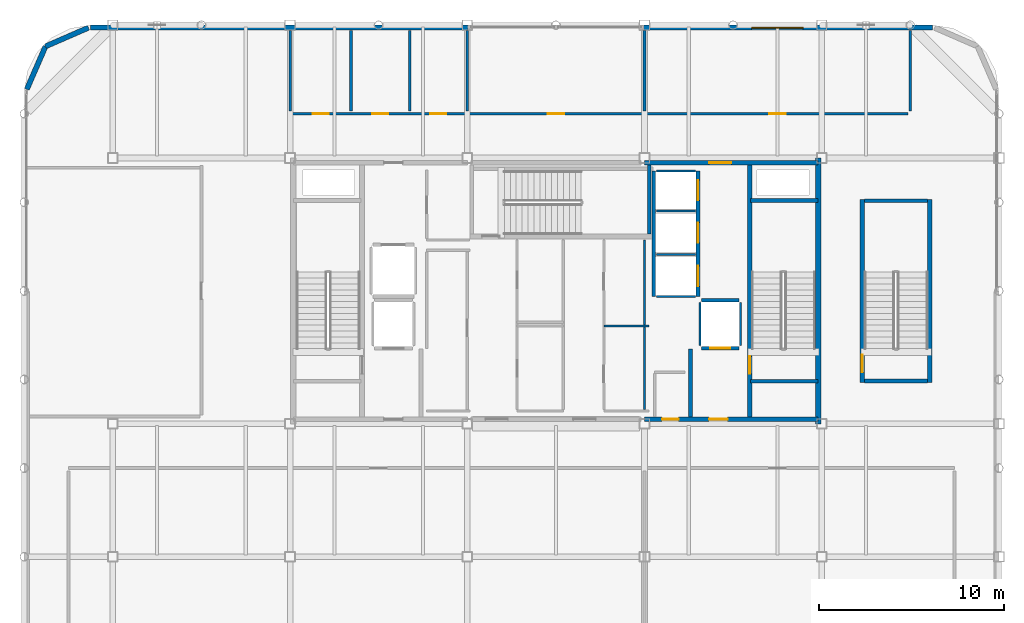
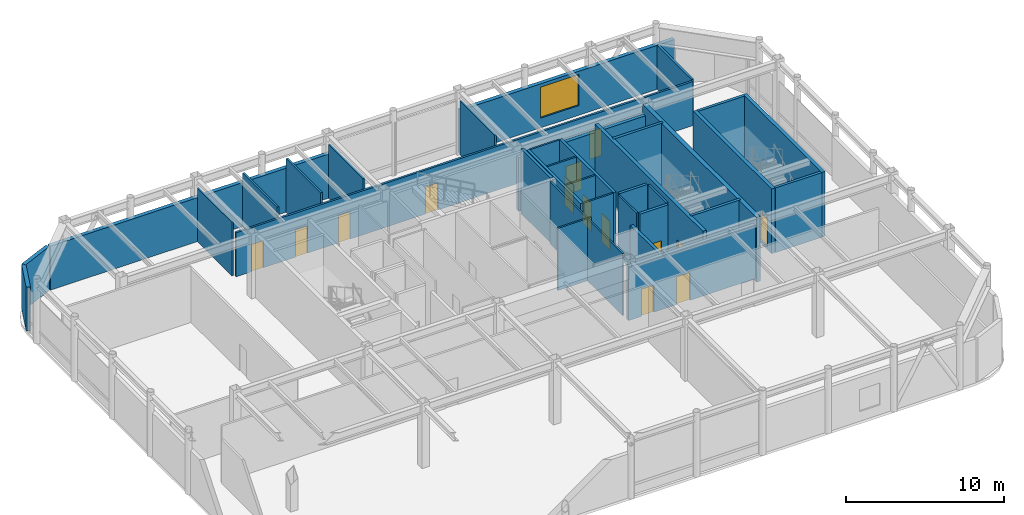
# One storey, part 18 of 21: 35 walls, 14 doors, 1 window, 15 openings.
"""IFC4 building model written with IfcOpenShell, lengths in metres."""

from ifc_helpers import new_model, si_unit, direction, frame, frame_2d, origin, place, context, subcontext, project, spatial, rectangle, extrude, material, layer, layer_set, type_object, element, fill, save


model = new_model("IFC4")

# Units and contexts
model_context = context("Model", 3, precision=1e-05, world=origin(), true_north=direction((0.0, 1.0)))
body_context = subcontext(model_context, "Body", "Model", "MODEL_VIEW")
ifc_project = project(units=[si_unit("LENGTHUNIT", "METRE"), si_unit("AREAUNIT", "SQUARE_METRE"), si_unit("VOLUMEUNIT", "CUBIC_METRE"), si_unit("PLANEANGLEUNIT", "RADIAN"), si_unit("MASSUNIT", "GRAM", prefix="KILO")], contexts=[model_context])

# Site, building, storey
site_placement = place(None, origin())
site = spatial("IfcSite", under=ifc_project, at=site_placement, CompositionType="ELEMENT")
building_placement = place(site_placement, origin())
building = spatial("IfcBuilding", under=site, at=building_placement, Name="Kallvorn Hotel Tower", CompositionType="ELEMENT")
storey_placement = place(building_placement, frame((0.0, 0.0, 295.60009765625)))
storey = spatial("IfcBuildingStorey", under=building, at=storey_placement, Name="L73", CompositionType="ELEMENT", Elevation=295.60009765625)

# Walls
ifc_material_1 = material(Name="Concrete C50/60", Category="concrete")
ifc_layer_1 = layer(ifc_material_1, 0.300048828125)
ifc_layer_set_1 = layer_set([ifc_layer_1], Name="WL_CORE_300")
wall_type_1 = type_object("IfcWallType", Name="WL_CORE_300", PredefinedType="SHEAR", material=ifc_layer_set_1)
wall_1_placement = place(storey_placement, frame((14.215087890625, -7.199951171875, -0.2001953125), z_axis=(0.0, 0.0, 1.0), x_axis=(0.0, 1.0, 0.0)))
element("IfcWall", 1, at=wall_1_placement, inside=storey, type_object=wall_type_1, Name="L73 Core East Shear Wall", PredefinedType="SHEAR", context=body_context, shape_type="SweptSolid", body=[
    extrude(rectangle(XDim=14.39990234375, YDim=0.300048828125, at=frame_2d((7.199951171875, 0.0))), origin(), (0.0, 0.0, 1.0), 5.0),
])
ifc_material_2 = material(Name="Precast basalt-clad insulated concrete wall C40/50", Category="masonry")
ifc_layer_2 = layer(ifc_material_2, 0.280029296875)
ifc_layer_set_2 = layer_set([ifc_layer_2], Name="WL_EXT_LOGGIA_280")
wall_type_2 = type_object("IfcWallType", Name="WL_EXT_LOGGIA_280", PredefinedType="SOLIDWALL", material=ifc_layer_set_2)
for number, where, z_axis, x_axis, name in (
    (2, (-25.32080078125, 14.2578125, 0.0), (0.0, 0.0, 1.0), (-0.917060872934, -0.398747232384, 0.0), "L73 Rounded Corner Exterior Wall NW1"),
    (3, (-27.646484375, 13.24658203125, 0.0), (0.0, 0.0, 1.0), (-0.398828190223, -0.917025667407, 0.0), "L73 Rounded Corner Exterior Wall NW2"),
):
    element("IfcWall", number, at=place(storey_placement, frame(where, z_axis=z_axis, x_axis=x_axis)), inside=storey, type_object=wall_type_2, Name=name, PredefinedType="SOLIDWALL", context=body_context, shape_type="SweptSolid", body=[
        extrude(rectangle(XDim=2.5361328125, YDim=0.280029296875, at=frame_2d((1.26806640625, 0.0))), origin(), (0.0, 0.0, 1.0), 3.39990234375),
    ])
wall_2_placement = place(storey_placement, frame((-25.199951171875, 14.260009765625, 0.0), z_axis=(0.0, 0.0, 1.0), x_axis=(1.0, 0.0, 0.0)))
element("IfcWall", 4, at=wall_2_placement, inside=storey, type_object=wall_type_2, Name="L73 Exterior Envelope Wall EW-L73-NW", PredefinedType="SOLIDWALL", context=body_context, shape_type="SweptSolid", body=[
    extrude(rectangle(XDim=20.449951171875, YDim=0.280029296875, at=frame_2d((10.22509765625, 0.0))), origin(), (0.0, 0.0, 1.0), 3.39990234375),
])

# Wall, opening, window
wall_3_placement = place(storey_placement, frame((4.75, 14.260009765625, 0.0), z_axis=(0.0, 0.0, 1.0), x_axis=(1.0, 0.0, 0.0)))
wall_3 = element("IfcWall", 5, at=wall_3_placement, inside=storey, type_object=wall_type_2, Name="L73 Exterior Envelope Wall EW-L73-NE", PredefinedType="SOLIDWALL", context=body_context, shape_type="SweptSolid", body=[
    extrude(rectangle(XDim=15.64990234375, YDim=0.280029296875, at=frame_2d((7.824951171875, 0.0))), origin(), (0.0, 0.0, 1.0), 3.39990234375),
])
opening_1_placement = place(wall_3_placement, frame((5.85009765625, 0.0, 0.75)))
opening_1 = element("IfcOpeningElement", 6, at=opening_1_placement, cuts=wall_3, Name="Opening W08", PredefinedType="OPENING", context=body_context, shape_type="SweptSolid", body=[
    extrude(rectangle(XDim=2.800048828125, YDim=2.39990234375, at=frame_2d((1.39990234375, 1.199951171875))), frame((0.0, 0.155029296875, 0.0), z_axis=(0.0, -1.0, 0.0), x_axis=(1.0, 0.0, 0.0)), (0.0, 0.0, 1.0), 0.31005859375),
])
ifc_material_3 = material(Name="Triple-glazed low-e acoustic solar-control dark glass", Category="glass")
window_type = type_object("IfcWindowType", Name="WN_SUM_2800x2400", PartitioningType="SINGLE_PANEL", PredefinedType="WINDOW", material=ifc_material_3)
window_placement = place(opening_1_placement, origin())
window = element("IfcWindow", 7, at=window_placement, inside=storey, type_object=window_type, Name="L73 Guestroom Exterior Window 02", OverallHeight=2.39990234375, OverallWidth=2.800048828125, PartitioningType="SINGLE_PANEL", PredefinedType="WINDOW", context=body_context, shape_type="SweptSolid", body=[
    extrude(rectangle(XDim=2.800048828125, YDim=2.39990234375, at=frame_2d((1.39990234375, 1.199951171875))), frame((0.0, 0.030029296875, 0.0), z_axis=(0.0, -1.0, 0.0), x_axis=(1.0, 0.0, 0.0)), (0.0, 0.0, 1.0), 0.06005859375),
])
fill(opening_1, window)

# Walls
ifc_material_4 = material(Name="Concrete C40/50", Category="concrete")
ifc_layer_3 = layer(ifc_material_4, 0.219970703125)
ifc_layer_set_3 = layer_set([ifc_layer_3], Name="WL_FFL_220")
wall_type_3 = type_object("IfcWallType", Name="WL_FFL_220", PredefinedType="SOLIDWALL", material=ifc_layer_set_3)
wall_4_placement = place(storey_placement, frame((7.300048828125, -6.820068359375, 0.0), z_axis=(0.0, 0.0, 1.0), x_axis=(0.0, 1.0, 0.0)))
element("IfcWall", 8, at=wall_4_placement, inside=storey, type_object=wall_type_3, Name="L73 Firefighting Lobby East Divider Wall", PredefinedType="SOLIDWALL", context=body_context, shape_type="SweptSolid", body=[
    extrude(rectangle(XDim=3.670166015625, YDim=0.219970703125, at=frame_2d((1.8349609375, 0.0))), origin(), (0.0, 0.0, 1.0), 4.14990234375),
])
ifc_material_5 = material(Name="Concrete C40/50", Category="concrete")
ifc_layer_4 = layer(ifc_material_5, 0.199951171875)
ifc_layer_set_4 = layer_set([ifc_layer_4], Name="WL_HOIST_200")
wall_type_4 = type_object("IfcWallType", Name="WL_HOIST_200", PredefinedType="SOLIDWALL", material=ifc_layer_set_4)
for number, where, z_axis, x_axis, name in (
    (9, (10.550048828125, -4.89990234375, -0.2001953125), (0.0, 0.0, 1.0), (1.0, 0.0, 0.0), "L73 Stair ST2 South Wall"),
    (10, (10.550048828125, 4.89990234375, -0.2001953125), (0.0, 0.0, 1.0), (1.0, 0.0, 0.0), "L73 Stair ST2 North Wall"),
):
    element("IfcWall", number, at=place(storey_placement, frame(where, z_axis=z_axis, x_axis=x_axis)), inside=storey, type_object=wall_type_4, Name=name, PredefinedType="SOLIDWALL", context=body_context, shape_type="SweptSolid", body=[
        extrude(rectangle(XDim=3.64990234375, YDim=0.199951171875, at=frame_2d((1.824951171875, 0.0))), origin(), (0.0, 0.0, 1.0), 5.0),
    ])
wall_5_placement = place(storey_placement, frame((5.06005859375, 3.080078125, -0.2001953125), z_axis=(0.0, 0.0, 1.0), x_axis=(0.0, 1.0, 0.0)))
element("IfcWall", 11, at=wall_5_placement, inside=storey, type_object=wall_type_4, Name="L73 Stair ST3 East Wall", PredefinedType="SOLIDWALL", context=body_context, shape_type="SweptSolid", body=[
    extrude(rectangle(XDim=3.739990234375, YDim=0.199951171875, at=frame_2d((1.8701171875, 0.0))), origin(), (0.0, 0.0, 1.0), 5.0),
])
for number, where, z_axis, x_axis, name in (
    (12, (16.72998046875, -4.8798828125, -0.2001953125), (0.0, 0.0, 1.0), (1.0, 0.0, 0.0), "L73 Summit Exit Stair ST4 South Wall"),
    (13, (16.72998046875, 4.8798828125, -0.2001953125), (0.0, 0.0, 1.0), (1.0, 0.0, 0.0), "L73 Summit Exit Stair ST4 North Wall"),
):
    element("IfcWall", number, at=place(storey_placement, frame(where, z_axis=z_axis, x_axis=x_axis)), inside=storey, type_object=wall_type_4, Name=name, PredefinedType="SOLIDWALL", context=body_context, shape_type="SweptSolid", body=[
        extrude(rectangle(XDim=3.39990234375, YDim=0.199951171875, at=frame_2d((1.699951171875, 0.0))), origin(), (0.0, 0.0, 1.0), 5.0),
    ])

# Wall, openings, doors
wall_6_placement = place(storey_placement, frame((7.699951171875, -0.300048828125, 0.0), z_axis=(0.0, 0.0, 1.0), x_axis=(0.0, 1.0, 0.0)))
wall_6 = element("IfcWall", 14, at=wall_6_placement, inside=storey, type_object=wall_type_4, Name="L73 Lift Bank OBS Landing Wall", PredefinedType="SOLIDWALL", context=body_context, shape_type="SweptSolid", body=[
    extrude(rectangle(XDim=6.800048828125, YDim=0.199951171875, at=frame_2d((3.39990234375, 0.0))), origin(), (0.0, 0.0, 1.0), 4.7998046875),
])
opening_2_placement = place(wall_6_placement, frame((0.550048828125, 0.0, 0.0)))
opening_2 = element("IfcOpeningElement", 15, at=opening_2_placement, cuts=wall_6, Name="Opening LD-OB-01", PredefinedType="OPENING", context=body_context, shape_type="SweptSolid", body=[
    extrude(rectangle(XDim=1.10009765625, YDim=2.199951171875, at=frame_2d((0.550048828125, 1.10009765625))), frame((0.0, 0.114990234375, 0.0), z_axis=(0.0, -1.0, 0.0), x_axis=(1.0, 0.0, 0.0)), (0.0, 0.0, 1.0), 0.22998046875),
])
opening_3_placement = place(wall_6_placement, frame((2.89990234375, 0.0, 0.0)))
opening_3 = element("IfcOpeningElement", 16, at=opening_3_placement, cuts=wall_6, Name="Opening LD-OB-02", PredefinedType="OPENING", context=body_context, shape_type="SweptSolid", body=[
    extrude(rectangle(XDim=1.10009765625, YDim=2.199951171875, at=frame_2d((0.550048828125, 1.10009765625))), frame((0.0, 0.114990234375, 0.0), z_axis=(0.0, -1.0, 0.0), x_axis=(1.0, 0.0, 0.0)), (0.0, 0.0, 1.0), 0.22998046875),
])
opening_4_placement = place(wall_6_placement, frame((5.199951171875, 0.0, 0.0)))
opening_4 = element("IfcOpeningElement", 17, at=opening_4_placement, cuts=wall_6, Name="Opening LD-OB-03", PredefinedType="OPENING", context=body_context, shape_type="SweptSolid", body=[
    extrude(rectangle(XDim=1.10009765625, YDim=2.199951171875, at=frame_2d((0.550048828125, 1.10009765625))), frame((0.0, 0.114990234375, 0.0), z_axis=(0.0, -1.0, 0.0), x_axis=(1.0, 0.0, 0.0)), (0.0, 0.0, 1.0), 0.22998046875),
])
ifc_material_6 = material(Name="Brushed stainless-steel automatic sliding lift landing door", Category="steel")
door_type_1 = type_object("IfcDoorType", Name="LD_PASS_1100x2200", OperationType="SLIDING_TO_LEFT", PredefinedType="DOOR", material=ifc_material_6)
door_1_placement = place(opening_2_placement, origin())
door_1 = element("IfcDoor", 18, at=door_1_placement, inside=storey, type_object=door_type_1, Name="L73 Lift Landing Sliding Door LD-OB-01", OperationType="SLIDING_TO_LEFT", OverallHeight=2.199951171875, OverallWidth=1.10009765625, PredefinedType="DOOR", context=body_context, shape_type="SweptSolid", body=[
    extrude(rectangle(XDim=1.10009765625, YDim=2.199951171875, at=frame_2d((0.550048828125, 1.10009765625))), frame((0.0, 0.02490234375, 0.0), z_axis=(0.0, -1.0, 0.0), x_axis=(1.0, 0.0, 0.0)), (0.0, 0.0, 1.0), 0.050048828125),
])
fill(opening_2, door_1)
door_2_placement = place(opening_3_placement, origin())
door_2 = element("IfcDoor", 19, at=door_2_placement, inside=storey, type_object=door_type_1, Name="L73 Lift Landing Sliding Door LD-OB-02", OperationType="SLIDING_TO_LEFT", OverallHeight=2.199951171875, OverallWidth=1.10009765625, PredefinedType="DOOR", context=body_context, shape_type="SweptSolid", body=[
    extrude(rectangle(XDim=1.10009765625, YDim=2.199951171875, at=frame_2d((0.550048828125, 1.10009765625))), frame((0.0, 0.02490234375, 0.0), z_axis=(0.0, -1.0, 0.0), x_axis=(1.0, 0.0, 0.0)), (0.0, 0.0, 1.0), 0.050048828125),
])
fill(opening_3, door_2)
door_3_placement = place(opening_4_placement, origin())
door_3 = element("IfcDoor", 20, at=door_3_placement, inside=storey, type_object=door_type_1, Name="L73 Lift Landing Sliding Door LD-OB-03", OperationType="SLIDING_TO_LEFT", OverallHeight=2.199951171875, OverallWidth=1.10009765625, PredefinedType="DOOR", context=body_context, shape_type="SweptSolid", body=[
    extrude(rectangle(XDim=1.10009765625, YDim=2.199951171875, at=frame_2d((0.550048828125, 1.10009765625))), frame((0.0, 0.02490234375, 0.0), z_axis=(0.0, -1.0, 0.0), x_axis=(1.0, 0.0, 0.0)), (0.0, 0.0, 1.0), 0.050048828125),
])
fill(opening_4, door_3)

# Wall
wall_7_placement = place(storey_placement, frame((5.300048828125, -0.300048828125, 0.0), z_axis=(0.0, 0.0, 1.0), x_axis=(0.0, 1.0, 0.0)))
element("IfcWall", 21, at=wall_7_placement, inside=storey, type_object=wall_type_4, Name="L73 Lift Bank OBS Rear Shaft Wall", PredefinedType="SOLIDWALL", context=body_context, shape_type="SweptSolid", body=[
    extrude(rectangle(XDim=6.800048828125, YDim=0.199951171875, at=frame_2d((3.39990234375, 0.0))), origin(), (0.0, 0.0, 1.0), 4.7998046875),
])

# Wall, opening, door
wall_8_placement = place(storey_placement, frame((7.8798828125, -3.10009765625, 0.0), z_axis=(0.0, 0.0, 1.0), x_axis=(1.0, 0.0, 0.0)))
wall_8 = element("IfcWall", 22, at=wall_8_placement, inside=storey, type_object=wall_type_4, Name="L73 FL-2 Landing Wall", PredefinedType="SOLIDWALL", context=body_context, shape_type="SweptSolid", body=[
    extrude(rectangle(XDim=2.0400390625, YDim=0.199951171875, at=frame_2d((1.02001953125, 0.0))), origin(), (0.0, 0.0, 1.0), 4.7998046875),
])
opening_5_placement = place(wall_8_placement, frame((0.469970703125, 0.0, 0.0)))
opening_5 = element("IfcOpeningElement", 23, at=opening_5_placement, cuts=wall_8, Name="Opening LD-FL-2", PredefinedType="OPENING", context=body_context, shape_type="SweptSolid", body=[
    extrude(rectangle(XDim=1.10009765625, YDim=2.199951171875, at=frame_2d((0.550048828125, 1.10009765625))), frame((0.0, 0.114990234375, 0.0), z_axis=(0.0, -1.0, 0.0), x_axis=(1.0, 0.0, 0.0)), (0.0, 0.0, 1.0), 0.22998046875),
])
door_4_placement = place(opening_5_placement, origin())
door_4 = element("IfcDoor", 24, at=door_4_placement, inside=storey, type_object=door_type_1, Name="L73 Lift Landing Sliding Door LD-FL-2", OperationType="SLIDING_TO_LEFT", OverallHeight=2.199951171875, OverallWidth=1.10009765625, PredefinedType="DOOR", context=body_context, shape_type="SweptSolid", body=[
    extrude(rectangle(XDim=1.10009765625, YDim=2.199951171875, at=frame_2d((0.550048828125, 1.10009765625))), frame((0.0, 0.02490234375, 0.0), z_axis=(0.0, -1.0, 0.0), x_axis=(1.0, 0.0, 0.0)), (0.0, 0.0, 1.0), 0.050048828125),
])
fill(opening_5, door_4)

# Walls
wall_9_placement = place(storey_placement, frame((7.8798828125, -0.5, 0.0), z_axis=(0.0, 0.0, 1.0), x_axis=(1.0, 0.0, 0.0)))
element("IfcWall", 25, at=wall_9_placement, inside=storey, type_object=wall_type_4, Name="L73 FL-2 Rear Shaft Wall", PredefinedType="SOLIDWALL", context=body_context, shape_type="SweptSolid", body=[
    extrude(rectangle(XDim=2.0400390625, YDim=0.199951171875, at=frame_2d((1.02001953125, 0.0))), origin(), (0.0, 0.0, 1.0), 4.7998046875),
])
ifc_material_7 = material(Name="Fire-rated double-layer acoustic gypsum drywall EI 60")
ifc_layer_5 = layer(ifc_material_7, 0.1201171875)
ifc_layer_set_5 = layer_set([ifc_layer_5], Name="WL_INT_120")
wall_type_5 = type_object("IfcWallType", Name="WL_INT_120", PredefinedType="PARTITIONING", material=ifc_layer_set_5)
for number, where, z_axis, x_axis, name in (
    (26, (5.43994140625, -0.300048828125, 0.0), (0.0, 0.0, 1.0), (1.0, 0.0, 0.0), "L73 Lift Bank OBS South Closure Wall"),
    (27, (5.43994140625, 1.97509765625, 0.0), (0.0, 0.0, 1.0), (1.0, 0.0, 0.0), "L73 OB-01 Hoistway Divider"),
    (28, (5.43994140625, 4.324951171875, 0.0), (0.0, 0.0, 1.0), (1.0, 0.0, 0.0), "L73 OB-02 Hoistway Divider"),
    (29, (5.43994140625, 6.5, 0.0), (0.0, 0.0, 1.0), (1.0, 0.0, 0.0), "L73 OB-03 Hoistway Divider"),
):
    element("IfcWall", number, at=place(storey_placement, frame(where, z_axis=z_axis, x_axis=x_axis)), inside=storey, type_object=wall_type_5, Name=name, PredefinedType="PARTITIONING", context=body_context, shape_type="SweptSolid", body=[
        extrude(rectangle(XDim=2.1201171875, YDim=0.1201171875, at=frame_2d((1.06005859375, 0.0))), origin(), (0.0, 0.0, 1.0), 4.7998046875),
    ])
for number, where, z_axis, x_axis, name in (
    (30, (7.800048828125, -2.9599609375, 0.0), (0.0, 0.0, 1.0), (0.0, 1.0, 0.0), "L73 FL-2 West Shaft Wall"),
    (31, (10.0, -2.9599609375, 0.0), (0.0, 0.0, 1.0), (0.0, 1.0, 0.0), "L73 FL-2 East Shaft Wall"),
):
    element("IfcWall", number, at=place(storey_placement, frame(where, z_axis=z_axis, x_axis=x_axis)), inside=storey, type_object=wall_type_5, Name=name, PredefinedType="PARTITIONING", context=body_context, shape_type="SweptSolid", body=[
        extrude(rectangle(XDim=2.320068359375, YDim=0.1201171875, at=frame_2d((1.16015625, 0.0))), origin(), (0.0, 0.0, 1.0), 4.7998046875),
    ])
wall_10_placement = place(storey_placement, frame((2.60009765625, -1.89990234375, 0.0), z_axis=(0.0, 0.0, 1.0), x_axis=(1.0, 0.0, 0.0)))
element("IfcWall", 32, at=wall_10_placement, inside=storey, type_object=wall_type_5, Name="L73 East Core Amenities and Minibar Store Partition", PredefinedType="PARTITIONING", context=body_context, shape_type="SweptSolid", body=[
    extrude(rectangle(XDim=2.449951171875, YDim=0.1201171875, at=frame_2d((1.22509765625, 0.0))), origin(), (0.0, 0.0, 1.0), 4.7998046875),
])
wall_11_placement = place(storey_placement, frame((4.800048828125, -6.4150390625, 0.0), z_axis=(0.0, 0.0, 1.0), x_axis=(0.0, 1.0, 0.0)))
element("IfcWall", 33, at=wall_11_placement, inside=storey, type_object=wall_type_5, Name="L73 East Core Amenities and Minibar Store Partition", PredefinedType="PARTITIONING", context=body_context, shape_type="SweptSolid", body=[
    extrude(rectangle(XDim=9.1650390625, YDim=0.1201171875, at=frame_2d((4.58251953125, 0.0))), origin(), (0.0, 0.0, 1.0), 4.7998046875),
])

# Wall, openings, doors
ifc_material_8 = material(Name="Fire-rated double-layer acoustic gypsum drywall EI 60")
ifc_layer_6 = layer(ifc_material_8, 0.14990234375)
ifc_layer_set_6 = layer_set([ifc_layer_6], Name="WL_PART_150")
wall_type_6 = type_object("IfcWallType", Name="WL_PART_150", PredefinedType="PARTITIONING", material=ifc_layer_set_6)
wall_12_placement = place(storey_placement, frame((-14.280029296875, 9.60009765625, 0.0), z_axis=(0.0, 0.0, 1.0), x_axis=(1.0, 0.0, 0.0)))
wall_12 = element("IfcWall", 34, at=wall_12_placement, inside=storey, type_object=wall_type_6, Name="L73 Restaurant Mixology Kitchen Partition", PredefinedType="PARTITIONING", context=body_context, shape_type="SweptSolid", body=[
    extrude(rectangle(XDim=33.360107421875, YDim=0.14990234375, at=frame_2d((16.68017578125, 0.0))), origin(), (0.0, 0.0, 1.0), 3.39990234375),
])
opening_6_placement = place(wall_12_placement, frame((1.12109375, 0.0, 0.0)))
opening_6 = element("IfcOpeningElement", 35, at=opening_6_placement, cuts=wall_12, Name="Opening BD-I", PredefinedType="OPENING", context=body_context, shape_type="SweptSolid", body=[
    extrude(rectangle(XDim=0.860107421875, YDim=2.10009765625, at=frame_2d((0.43017578125, 1.050048828125))), frame((0.0, 0.08984375, 0.0), z_axis=(0.0, -1.0, 0.0), x_axis=(1.0, 0.0, 0.0)), (0.0, 0.0, 1.0), 0.179931640625),
])
opening_7_placement = place(wall_12_placement, frame((4.343017578125, 0.0, 0.0)))
opening_7 = element("IfcOpeningElement", 36, at=opening_7_placement, cuts=wall_12, Name="Opening BD-I", PredefinedType="OPENING", context=body_context, shape_type="SweptSolid", body=[
    extrude(rectangle(XDim=0.860107421875, YDim=2.10009765625, at=frame_2d((0.43017578125, 1.050048828125))), frame((0.0, 0.08984375, 0.0), z_axis=(0.0, -1.0, 0.0), x_axis=(1.0, 0.0, 0.0)), (0.0, 0.0, 1.0), 0.179931640625),
])
opening_8_placement = place(wall_12_placement, frame((7.472900390625, 0.0, 0.0)))
opening_8 = element("IfcOpeningElement", 37, at=opening_8_placement, cuts=wall_12, Name="Opening BD-I", PredefinedType="OPENING", context=body_context, shape_type="SweptSolid", body=[
    extrude(rectangle(XDim=0.860107421875, YDim=2.10009765625, at=frame_2d((0.43017578125, 1.050048828125))), frame((0.0, 0.08984375, 0.0), z_axis=(0.0, -1.0, 0.0), x_axis=(1.0, 0.0, 0.0)), (0.0, 0.0, 1.0), 0.179931640625),
])
opening_9_placement = place(wall_12_placement, frame((13.830078125, 0.0, 0.0)))
opening_9 = element("IfcOpeningElement", 38, at=opening_9_placement, cuts=wall_12, Name="Opening SVD1", PredefinedType="OPENING", context=body_context, shape_type="SweptSolid", body=[
    extrude(rectangle(XDim=0.89990234375, YDim=2.10009765625, at=frame_2d((0.449951171875, 1.050048828125))), frame((0.0, 0.08984375, 0.0), z_axis=(0.0, -1.0, 0.0), x_axis=(1.0, 0.0, 0.0)), (0.0, 0.0, 1.0), 0.179931640625),
])
opening_10_placement = place(wall_12_placement, frame((25.830078125, 0.0, 0.0)))
opening_10 = element("IfcOpeningElement", 39, at=opening_10_placement, cuts=wall_12, Name="Opening SVD1", PredefinedType="OPENING", context=body_context, shape_type="SweptSolid", body=[
    extrude(rectangle(XDim=0.89990234375, YDim=2.10009765625, at=frame_2d((0.449951171875, 1.050048828125))), frame((0.0, 0.08984375, 0.0), z_axis=(0.0, -1.0, 0.0), x_axis=(1.0, 0.0, 0.0)), (0.0, 0.0, 1.0), 0.179931640625),
])
ifc_material_9 = material(Name="Solid-core walnut veneer fire-rated timber door leaf", Category="wood")
door_type_2 = type_object("IfcDoorType", Name="DR_BATH_860x2100", OperationType="NOTDEFINED", PredefinedType="DOOR", material=ifc_material_9)
door_5_placement = place(opening_6_placement, origin())
door_5 = element("IfcDoor", 40, at=door_5_placement, inside=storey, type_object=door_type_2, Name="L73 Public Male Restroom WC Door", OperationType="SINGLE_SWING_RIGHT", OverallHeight=2.10009765625, OverallWidth=0.860107421875, PredefinedType="DOOR", context=body_context, shape_type="SweptSolid", body=[
    extrude(rectangle(XDim=0.860107421875, YDim=2.10009765625, at=frame_2d((0.43017578125, 1.050048828125))), frame((0.0, 0.02490234375, 0.0), z_axis=(0.0, -1.0, 0.0), x_axis=(1.0, 0.0, 0.0)), (0.0, 0.0, 1.0), 0.050048828125),
])
fill(opening_6, door_5)
door_6_placement = place(opening_7_placement, origin())
door_6 = element("IfcDoor", 41, at=door_6_placement, inside=storey, type_object=door_type_2, Name="L73 Public Female Restroom WC Door", OperationType="SINGLE_SWING_RIGHT", OverallHeight=2.10009765625, OverallWidth=0.860107421875, PredefinedType="DOOR", context=body_context, shape_type="SweptSolid", body=[
    extrude(rectangle(XDim=0.860107421875, YDim=2.10009765625, at=frame_2d((0.43017578125, 1.050048828125))), frame((0.0, 0.02490234375, 0.0), z_axis=(0.0, -1.0, 0.0), x_axis=(1.0, 0.0, 0.0)), (0.0, 0.0, 1.0), 0.050048828125),
])
fill(opening_7, door_6)
door_7_placement = place(opening_8_placement, origin())
door_7 = element("IfcDoor", 42, at=door_7_placement, inside=storey, type_object=door_type_2, Name="L73 Accessible Restroom WC Door", OperationType="SINGLE_SWING_RIGHT", OverallHeight=2.10009765625, OverallWidth=0.860107421875, PredefinedType="DOOR", context=body_context, shape_type="SweptSolid", body=[
    extrude(rectangle(XDim=0.860107421875, YDim=2.10009765625, at=frame_2d((0.43017578125, 1.050048828125))), frame((0.0, 0.02490234375, 0.0), z_axis=(0.0, -1.0, 0.0), x_axis=(1.0, 0.0, 0.0)), (0.0, 0.0, 1.0), 0.050048828125),
])
fill(opening_8, door_7)
ifc_material_10 = material(Name="Galvanised painted steel fire-rated door assembly", Category="steel")
door_type_3 = type_object("IfcDoorType", Name="DR_SERV_900x2100", OperationType="NOTDEFINED", PredefinedType="DOOR", material=ifc_material_10)
door_8_placement = place(opening_9_placement, origin())
door_8 = element("IfcDoor", 43, at=door_8_placement, inside=storey, type_object=door_type_3, Name="L73 Restaurant Mixology Kitchen Door", OperationType="SINGLE_SWING_LEFT", OverallHeight=2.10009765625, OverallWidth=0.89990234375, PredefinedType="DOOR", context=body_context, shape_type="SweptSolid", body=[
    extrude(rectangle(XDim=0.89990234375, YDim=2.10009765625, at=frame_2d((0.449951171875, 1.050048828125))), frame((0.0, 0.02490234375, 0.0), z_axis=(0.0, -1.0, 0.0), x_axis=(1.0, 0.0, 0.0)), (0.0, 0.0, 1.0), 0.050048828125),
])
fill(opening_9, door_8)
door_9_placement = place(opening_10_placement, origin())
door_9 = element("IfcDoor", 44, at=door_9_placement, inside=storey, type_object=door_type_3, Name="L73 Curated Spirits and Cigar Retail Shop Door", OperationType="SINGLE_SWING_LEFT", OverallHeight=2.10009765625, OverallWidth=0.89990234375, PredefinedType="DOOR", context=body_context, shape_type="SweptSolid", body=[
    extrude(rectangle(XDim=0.89990234375, YDim=2.10009765625, at=frame_2d((0.449951171875, 1.050048828125))), frame((0.0, 0.02490234375, 0.0), z_axis=(0.0, -1.0, 0.0), x_axis=(1.0, 0.0, 0.0)), (0.0, 0.0, 1.0), 0.050048828125),
])
fill(opening_10, door_9)

# Walls
for number, where, z_axis, x_axis, name in (
    (45, (-4.800048828125, 9.75, 0.0), (0.0, 0.0, 1.0), (0.0, 1.0, 0.0), "L73 Restaurant Mixology Kitchen Partition"),
    (46, (4.800048828125, 9.75, 0.0), (0.0, 0.0, 1.0), (0.0, 1.0, 0.0), "L73 Curated Spirits and Cigar Retail Shop Partition"),
):
    element("IfcWall", number, at=place(storey_placement, frame(where, z_axis=z_axis, x_axis=x_axis)), inside=storey, type_object=wall_type_6, Name=name, PredefinedType="PARTITIONING", context=body_context, shape_type="SweptSolid", body=[
        extrude(rectangle(XDim=4.360107421875, YDim=0.14990234375, at=frame_2d((2.18017578125, 0.0))), origin(), (0.0, 0.0, 1.0), 4.14990234375),
    ])
wall_13_placement = place(storey_placement, frame((19.199951171875, 9.75, 0.0), z_axis=(0.0, 0.0, 1.0), x_axis=(0.0, 1.0, 0.0)))
element("IfcWall", 47, at=wall_13_placement, inside=storey, type_object=wall_type_6, Name="L73 Curated Spirits and Cigar Retail Shop Partition", PredefinedType="PARTITIONING", context=body_context, shape_type="SweptSolid", body=[
    extrude(rectangle(XDim=4.360107421875, YDim=0.14990234375, at=frame_2d((2.18017578125, 0.0))), origin(), (0.0, 0.0, 1.0), 3.39990234375),
])
ifc_material_11 = material(Name="Moisture-resistant acoustic plumbing chase wall EI 60")
ifc_layer_7 = layer(ifc_material_11, 0.139892578125)
ifc_layer_set_7 = layer_set([ifc_layer_7], Name="WL_PLUMB_140")
wall_type_7 = type_object("IfcWallType", Name="WL_PLUMB_140", PredefinedType="PLUMBINGWALL", material=ifc_layer_set_7)
for number, where, z_axis, x_axis, name in (
    (48, (-14.39990234375, 9.75, 0.0), (0.0, 0.0, 1.0), (0.0, 1.0, 0.0), "L73 Public Male Restroom WC Partition"),
    (49, (-11.097900390625, 9.75, 0.0), (0.0, 0.0, 1.0), (0.0, 1.0, 0.0), "L73 Public Female Restroom WC Partition"),
    (50, (-7.9150390625, 9.75, 0.0), (0.0, 0.0, 1.0), (0.0, 1.0, 0.0), "L73 Accessible Restroom WC Partition"),
):
    element("IfcWall", number, at=place(storey_placement, frame(where, z_axis=z_axis, x_axis=x_axis)), inside=storey, type_object=wall_type_7, Name=name, PredefinedType="PLUMBINGWALL", context=body_context, shape_type="SweptSolid", body=[
        extrude(rectangle(XDim=4.360107421875, YDim=0.139892578125, at=frame_2d((2.18017578125, 0.0))), origin(), (0.0, 0.0, 1.0), 4.14990234375),
    ])

# Wall, openings, doors
ifc_material_12 = material(Name="Concrete C40/50", Category="concrete")
ifc_layer_8 = layer(ifc_material_12, 0.25)
ifc_layer_set_8 = layer_set([ifc_layer_8], Name="WL_SHAFT_250")
wall_type_8 = type_object("IfcWallType", Name="WL_SHAFT_250", PredefinedType="SOLIDWALL", material=ifc_layer_set_8)
wall_14_placement = place(storey_placement, frame((4.800048828125, -6.949951171875, 0.0), z_axis=(0.0, 0.0, 1.0), x_axis=(1.0, 0.0, 0.0)))
wall_14 = element("IfcWall", 51, at=wall_14_placement, inside=storey, type_object=wall_type_8, Name="L73 Core South-East Wall", PredefinedType="SOLIDWALL", context=body_context, shape_type="SweptSolid", body=[
    extrude(rectangle(XDim=9.39990234375, YDim=0.25, at=frame_2d((4.699951171875, 0.0))), origin(), (0.0, 0.0, 1.0), 4.14990234375),
])
opening_11_placement = place(wall_14_placement, frame((3.5, 0.0, 0.0)))
opening_11 = element("IfcOpeningElement", 52, at=opening_11_placement, cuts=wall_14, Name="Opening FD1", PredefinedType="OPENING", context=body_context, shape_type="SweptSolid", body=[
    extrude(rectangle(XDim=1.0, YDim=2.14990234375, at=frame_2d((0.5, 1.074951171875))), frame((0.0, 0.139892578125, 0.0), z_axis=(0.0, -1.0, 0.0), x_axis=(1.0, 0.0, 0.0)), (0.0, 0.0, 1.0), 0.280029296875),
])
opening_12_placement = place(wall_14_placement, frame((0.949951171875, 0.0, 0.0)))
opening_12 = element("IfcOpeningElement", 53, at=opening_12_placement, cuts=wall_14, Name="Opening SVD1", PredefinedType="OPENING", context=body_context, shape_type="SweptSolid", body=[
    extrude(rectangle(XDim=0.89990234375, YDim=2.10009765625, at=frame_2d((0.449951171875, 1.050048828125))), frame((0.0, 0.139892578125, 0.0), z_axis=(0.0, -1.0, 0.0), x_axis=(1.0, 0.0, 0.0)), (0.0, 0.0, 1.0), 0.280029296875),
])
ifc_material_13 = material(Name="Galvanised painted steel fire-rated door assembly", Category="steel")
door_type_4 = type_object("IfcDoorType", Name="DR_FFL_1000x2150", OperationType="NOTDEFINED", PredefinedType="DOOR", material=ifc_material_13)
door_10_placement = place(opening_11_placement, origin())
door_10 = element("IfcDoor", 54, at=door_10_placement, inside=storey, type_object=door_type_4, Name="L73 Firefighting Lobby East Door", OperationType="SINGLE_SWING_LEFT", OverallHeight=2.14990234375, OverallWidth=1.0, PredefinedType="DOOR", context=body_context, shape_type="SweptSolid", body=[
    extrude(rectangle(XDim=1.0, YDim=2.14990234375, at=frame_2d((0.5, 1.074951171875))), frame((0.0, 0.02490234375, 0.0), z_axis=(0.0, -1.0, 0.0), x_axis=(1.0, 0.0, 0.0)), (0.0, 0.0, 1.0), 0.050048828125),
])
fill(opening_11, door_10)
door_11_placement = place(opening_12_placement, origin())
door_11 = element("IfcDoor", 55, at=door_11_placement, inside=storey, type_object=door_type_3, Name="L73 Core Staff Restroom WC Door", OperationType="SINGLE_SWING_LEFT", OverallHeight=2.10009765625, OverallWidth=0.89990234375, PredefinedType="DOOR", context=body_context, shape_type="SweptSolid", body=[
    extrude(rectangle(XDim=0.89990234375, YDim=2.10009765625, at=frame_2d((0.449951171875, 1.050048828125))), frame((0.0, 0.02490234375, 0.0), z_axis=(0.0, -1.0, 0.0), x_axis=(1.0, 0.0, 0.0)), (0.0, 0.0, 1.0), 0.050048828125),
])
fill(opening_12, door_11)

# Wall, opening, door
wall_15_placement = place(storey_placement, frame((4.800048828125, 6.949951171875, 0.0), z_axis=(0.0, 0.0, 1.0), x_axis=(1.0, 0.0, 0.0)))
wall_15 = element("IfcWall", 56, at=wall_15_placement, inside=storey, type_object=wall_type_8, Name="L73 Core North-East Wall", PredefinedType="SOLIDWALL", context=body_context, shape_type="SweptSolid", body=[
    extrude(rectangle(XDim=9.39990234375, YDim=0.25, at=frame_2d((4.699951171875, 0.0))), origin(), (0.0, 0.0, 1.0), 4.14990234375),
])
opening_13_placement = place(wall_15_placement, frame((3.5, 0.0, 0.0)))
opening_13 = element("IfcOpeningElement", 57, at=opening_13_placement, cuts=wall_15, Name="Opening FD2", PredefinedType="OPENING", context=body_context, shape_type="SweptSolid", body=[
    extrude(rectangle(XDim=1.199951171875, YDim=2.199951171875, at=frame_2d((0.60009765625, 1.10009765625))), frame((0.0, 0.139892578125, 0.0), z_axis=(0.0, -1.0, 0.0), x_axis=(1.0, 0.0, 0.0)), (0.0, 0.0, 1.0), 0.280029296875),
])
ifc_material_14 = material(Name="Galvanised painted steel fire-rated door assembly", Category="steel")
door_type_5 = type_object("IfcDoorType", Name="DR_LOBBY_1200x2200", OperationType="DOUBLE_DOOR_SINGLE_SWING", PredefinedType="DOOR", material=ifc_material_14)
door_12_placement = place(opening_13_placement, origin())
door_12 = element("IfcDoor", 58, at=door_12_placement, inside=storey, type_object=door_type_5, Name="L73 Observatory Shuttle Lobby Door", OperationType="DOUBLE_DOOR_SINGLE_SWING", OverallHeight=2.199951171875, OverallWidth=1.199951171875, PredefinedType="DOOR", context=body_context, shape_type="SweptSolid", body=[
    extrude(rectangle(XDim=1.199951171875, YDim=2.199951171875, at=frame_2d((0.60009765625, 1.10009765625))), frame((0.0, 0.02490234375, 0.0), z_axis=(0.0, -1.0, 0.0), x_axis=(1.0, 0.0, 0.0)), (0.0, 0.0, 1.0), 0.050048828125),
])
fill(opening_13, door_12)

wall_16_placement = place(storey_placement, frame((10.5, -6.820068359375, -0.2001953125), z_axis=(0.0, 0.0, 1.0), x_axis=(0.0, 1.0, 0.0)))
wall_16 = element("IfcWall", 59, at=wall_16_placement, inside=storey, type_object=wall_type_8, Name="L73 Stair ST2 Shaft Wall", PredefinedType="SOLIDWALL", context=body_context, shape_type="SweptSolid", body=[
    extrude(rectangle(XDim=13.64013671875, YDim=0.25, at=frame_2d((6.820068359375, 0.0))), origin(), (0.0, 0.0, 1.0), 5.0),
])
opening_14_placement = place(wall_16_placement, frame((2.320068359375, 0.0, 0.199951171875)))
opening_14 = element("IfcOpeningElement", 60, at=opening_14_placement, cuts=wall_16, Name="Opening SD1", PredefinedType="OPENING", context=body_context, shape_type="SweptSolid", body=[
    extrude(rectangle(XDim=0.949951171875, YDim=2.14990234375, at=frame_2d((0.47509765625, 1.074951171875))), frame((0.0, 0.139892578125, 0.0), z_axis=(0.0, -1.0, 0.0), x_axis=(1.0, 0.0, 0.0)), (0.0, 0.0, 1.0), 0.280029296875),
])
ifc_material_15 = material(Name="Galvanised painted steel fire-rated door assembly", Category="steel")
door_type_6 = type_object("IfcDoorType", Name="DR_STAIR_950x2150", OperationType="NOTDEFINED", PredefinedType="DOOR", material=ifc_material_15)
door_13_placement = place(opening_14_placement, origin())
door_13 = element("IfcDoor", 61, at=door_13_placement, inside=storey, type_object=door_type_6, Name="L73 Exit Stair ST2 Fire Door", OperationType="SINGLE_SWING_RIGHT", OverallHeight=2.14990234375, OverallWidth=0.949951171875, PredefinedType="DOOR", context=body_context, shape_type="SweptSolid", body=[
    extrude(rectangle(XDim=0.949951171875, YDim=2.14990234375, at=frame_2d((0.47509765625, 1.074951171875))), frame((0.0, 0.02490234375, 0.0), z_axis=(0.0, -1.0, 0.0), x_axis=(1.0, 0.0, 0.0)), (0.0, 0.0, 1.0), 0.050048828125),
])
fill(opening_14, door_13)

# Wall
wall_17_placement = place(storey_placement, frame((20.260009765625, -4.9599609375, -0.2001953125), z_axis=(0.0, 0.0, 1.0), x_axis=(0.0, 1.0, 0.0)))
element("IfcWall", 62, at=wall_17_placement, inside=storey, type_object=wall_type_8, Name="L73 Summit Exit Stair ST4 East Wall", PredefinedType="SOLIDWALL", context=body_context, shape_type="SweptSolid", body=[
    extrude(rectangle(XDim=9.919921875, YDim=0.25, at=frame_2d((4.9599609375, 0.0))), origin(), (0.0, 0.0, 1.0), 5.0),
])

# Wall, opening, door
wall_18_placement = place(storey_placement, frame((16.60009765625, -4.9599609375, -0.2001953125), z_axis=(0.0, 0.0, 1.0), x_axis=(0.0, 1.0, 0.0)))
wall_18 = element("IfcWall", 63, at=wall_18_placement, inside=storey, type_object=wall_type_8, Name="L73 Summit Exit Stair ST4 West Wall", PredefinedType="SOLIDWALL", context=body_context, shape_type="SweptSolid", body=[
    extrude(rectangle(XDim=9.919921875, YDim=0.25, at=frame_2d((4.9599609375, 0.0))), origin(), (0.0, 0.0, 1.0), 5.0),
])
opening_15_placement = place(wall_18_placement, frame((0.550048828125, 0.0, 0.199951171875)))
opening_15 = element("IfcOpeningElement", 64, at=opening_15_placement, cuts=wall_18, Name="Opening SD1", PredefinedType="OPENING", context=body_context, shape_type="SweptSolid", body=[
    extrude(rectangle(XDim=0.949951171875, YDim=2.14990234375, at=frame_2d((0.47509765625, 1.074951171875))), frame((0.0, 0.139892578125, 0.0), z_axis=(0.0, -1.0, 0.0), x_axis=(1.0, 0.0, 0.0)), (0.0, 0.0, 1.0), 0.280029296875),
])
door_14_placement = place(opening_15_placement, origin())
door_14 = element("IfcDoor", 65, at=door_14_placement, inside=storey, type_object=door_type_6, Name="L73 Summit Exit Stair ST4 Fire Door", OperationType="SINGLE_SWING_RIGHT", OverallHeight=2.14990234375, OverallWidth=0.949951171875, PredefinedType="DOOR", context=body_context, shape_type="SweptSolid", body=[
    extrude(rectangle(XDim=0.949951171875, YDim=2.14990234375, at=frame_2d((0.47509765625, 1.074951171875))), frame((0.0, 0.02490234375, 0.0), z_axis=(0.0, -1.0, 0.0), x_axis=(1.0, 0.0, 0.0)), (0.0, 0.0, 1.0), 0.050048828125),
])
fill(opening_15, door_14)

save(model, "model.ifc")
